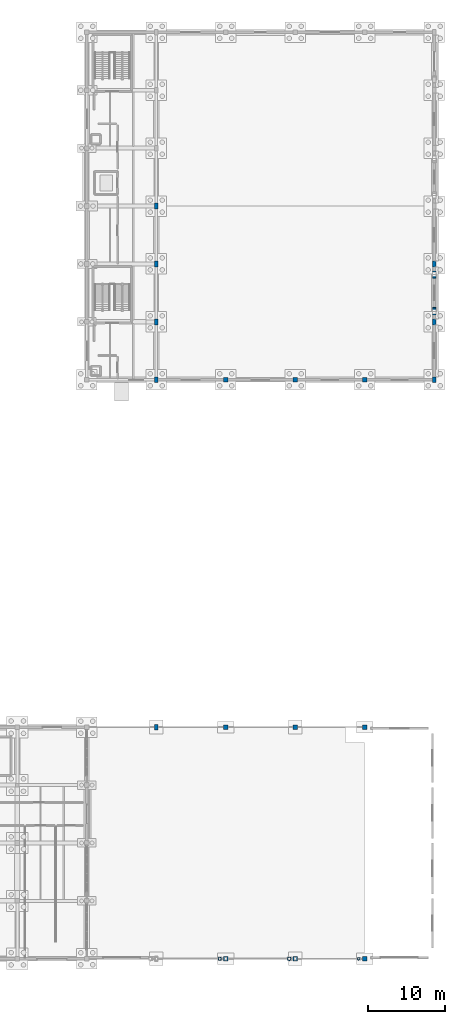
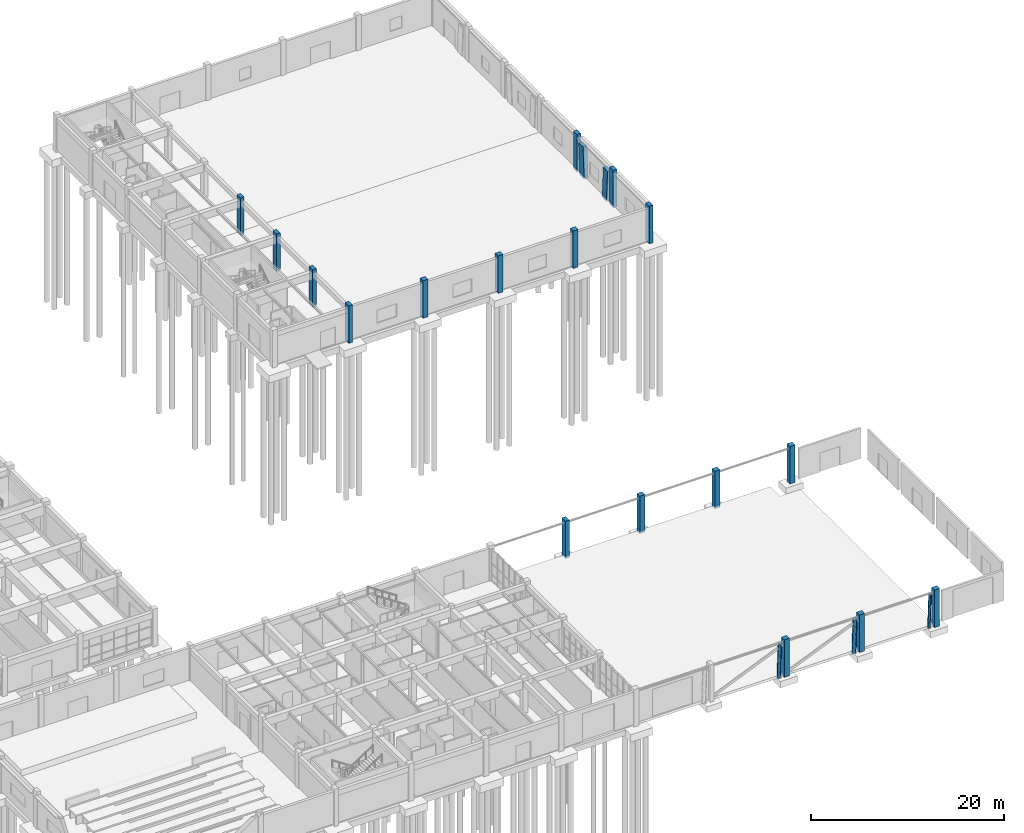
# One storey, part 14 of 93: 22 columns.
"""IFC4 building model written with IfcOpenShell, lengths in metres."""

from ifc_helpers import new_model, si_unit, direction, frame, origin, origin_2d, place, context, subcontext, project, spatial, rectangle, hollow_circle, extrude, material, material_profile, profile_set, type_object, element, save


model = new_model("IFC4")

# Units and contexts
model_context = context("Model", 3, precision=1e-05, world=origin(), true_north=direction((0.0, 1.0)))
body_context = subcontext(model_context, "Body", "Model", "MODEL_VIEW")
ifc_project = project(units=[si_unit("LENGTHUNIT", "METRE"), si_unit("AREAUNIT", "SQUARE_METRE"), si_unit("VOLUMEUNIT", "CUBIC_METRE"), si_unit("PLANEANGLEUNIT", "RADIAN"), si_unit("MASSUNIT", "GRAM", prefix="KILO")], contexts=[model_context])

# Site, building, storey
site_placement = place(None, origin())
site = spatial("IfcSite", under=ifc_project, at=site_placement, CompositionType="ELEMENT")
building_placement = place(site_placement, origin())
building = spatial("IfcBuilding", under=site, at=building_placement, Name="Marnridge Secondary College", CompositionType="ELEMENT")
storey_placement = place(building_placement, origin())
storey = spatial("IfcBuildingStorey", under=building, at=storey_placement, Name="L00", CompositionType="ELEMENT", Elevation=0.0)

# Columns
ifc_material_1 = material(Name="Cold-formed steel Grade C350L0 (AS/NZS 1163, fy = 350 MPa)", Category="steel")
ifc_material_profile_1 = material_profile(ifc_material_1, hollow_circle(Radius=0.161865234375, WallThickness=0.010009765625, at=origin_2d()), Name="323.9x10.0CHS")
ifc_profile_set_1 = profile_set([ifc_material_profile_1], Name="Cold-formed steel Grade C350L0 (AS/NZS 1163, fy = 350 MPa)")
column_type_1 = type_object("IfcColumnType", Name="CL-CHS323-EXT", PredefinedType="PILASTER", material=ifc_profile_set_1)
column_1_placement = place(storey_placement, frame((161.199951171875, 0.0, -0.25), z_axis=(0.02841796458, 0.0, 0.999596128088), x_axis=(0.0, 1.0, 0.0)))
element("IfcColumn", 1, at=column_1_placement, inside=storey, type_object=column_type_1, Name="Inclined pilaster strut CP-0651", PredefinedType="PILASTER", context=body_context, shape_type="SweptSolid", body=[
    extrude(hollow_circle(Radius=0.161865234375, WallThickness=0.010009765625, at=origin_2d()), origin(), (0.0, 0.0, 1.0), 4.226806640625),
])
ifc_material_2 = material(Name="Cold-formed steel Grade C350L0 (AS/NZS 1163, fy = 350 MPa)", Category="steel")
ifc_material_profile_2 = material_profile(ifc_material_2, hollow_circle(Radius=0.203125, WallThickness=0.0126953125, at=origin_2d()), Name="406.4x12.7CHS")
ifc_profile_set_2 = profile_set([ifc_material_profile_2], Name="Cold-formed steel Grade C350L0 (AS/NZS 1163, fy = 350 MPa)")
column_type_2 = type_object("IfcColumnType", Name="CL-CHS406-EXT", PredefinedType="PILASTER", material=ifc_profile_set_2)
column_2_placement = place(storey_placement, frame((143.199951171875, 0.0, -0.25), z_axis=(0.02841796458, 0.0, 0.999596128088), x_axis=(0.0, 1.0, 0.0)))
element("IfcColumn", 2, at=column_2_placement, inside=storey, type_object=column_type_2, Name="Inclined pilaster strut CP-0649", PredefinedType="PILASTER", context=body_context, shape_type="SweptSolid", body=[
    extrude(hollow_circle(Radius=0.203125, WallThickness=0.0126953125, at=origin_2d()), origin(), (0.0, 0.0, 1.0), 4.226806640625),
])
ifc_material_3 = material(Name="Cold-formed steel Grade C350L0 (AS/NZS 1163, fy = 350 MPa)", Category="steel")
ifc_material_profile_3 = material_profile(ifc_material_3, hollow_circle(Radius=0.228515625, WallThickness=0.0126953125, at=origin_2d()), Name="457.0x12.7CHS")
ifc_profile_set_3 = profile_set([ifc_material_profile_3], Name="Cold-formed steel Grade C350L0 (AS/NZS 1163, fy = 350 MPa)")
column_type_3 = type_object("IfcColumnType", Name="CL-CHS457-EXT", PredefinedType="PILASTER", material=ifc_profile_set_3)
column_3_placement = place(storey_placement, frame((152.199951171875, 0.0, -0.25), z_axis=(0.02841796458, 0.0, 0.999596128088), x_axis=(0.0, 1.0, 0.0)))
element("IfcColumn", 3, at=column_3_placement, inside=storey, type_object=column_type_3, Name="Inclined pilaster strut CP-0650", PredefinedType="PILASTER", context=body_context, shape_type="SweptSolid", body=[
    extrude(hollow_circle(Radius=0.228515625, WallThickness=0.0126953125, at=origin_2d()), origin(), (0.0, 0.0, 1.0), 4.226806640625),
])
ifc_material_4 = material(Name="Concrete C40/50 (AS 3600 N40, 40 MPa)", Category="concrete")
ifc_material_profile_4 = material_profile(ifc_material_4, rectangle(XDim=0.449951171875, YDim=0.75, at=origin_2d()), Name="RC 450x750")
ifc_profile_set_4 = profile_set([ifc_material_profile_4], Name="Concrete C40/50 (AS 3600 N40, 40 MPa)")
column_type_4 = type_object("IfcColumnType", Name="CL-RC4575-EXT", PredefinedType="COLUMN", material=ifc_profile_set_4)
for number, where, z_axis, x_axis, name in (
    (4, (135.0, 30.0, -0.25), (0.0, 0.0, 1.0), (1.0, 0.0, 0.0), "Column C-L00-0236"),
    (5, (135.0, 75.0, -0.25), (0.0, 0.0, 1.0), (1.0, 0.0, 0.0), "Column C-L00-0454"),
    (6, (171.0, 75.0, -0.25), (0.0, 0.0, 1.0), (1.0, 0.0, 0.0), "Column C-L00-0462"),
    (7, (135.0, 82.5, -0.25), (0.0, 0.0, 1.0), (1.0, 0.0, 0.0), "Column C-L00-0499"),
    (8, (171.0, 82.5, -0.25), (0.0, 0.0, 1.0), (1.0, 0.0, 0.0), "Column C-L00-0501"),
    (9, (135.0, 90.0, -0.25), (0.0, 0.0, 1.0), (1.0, 0.0, 0.0), "Column C-L00-0525"),
    (10, (171.0, 90.0, -0.25), (0.0, 0.0, 1.0), (1.0, 0.0, 0.0), "Column C-L00-0527"),
    (11, (135.0, 97.5, -0.25), (0.0, 0.0, 1.0), (1.0, 0.0, 0.0), "Column C-L00-0551"),
):
    element("IfcColumn", number, at=place(storey_placement, frame(where, z_axis=z_axis, x_axis=x_axis)), inside=storey, type_object=column_type_4, Name=name, PredefinedType="COLUMN", context=body_context, shape_type="SweptSolid", body=[
        extrude(rectangle(XDim=0.449951171875, YDim=0.75, at=origin_2d()), origin(), (0.0, 0.0, 1.0), 4.75),
    ])
ifc_material_5 = material(Name="Concrete C50/60 (AS 3600 N50, 50 MPa)", Category="concrete")
ifc_material_profile_5 = material_profile(ifc_material_5, rectangle(XDim=0.5, YDim=0.89990234375, at=origin_2d()), Name="RC 500x900")
ifc_profile_set_5 = profile_set([ifc_material_profile_5], Name="Concrete C50/60 (AS 3600 N50, 50 MPa)")
column_type_5 = type_object("IfcColumnType", Name="CL-RC5090-EXT", PredefinedType="PILASTER", material=ifc_profile_set_5)
for number, where, z_axis, x_axis, name in (
    (12, (171.0, 83.949951171875, -0.25), (0.0, -0.063196655728, 0.998001093539), (1.0, 0.0, 0.0), "Inclined pilaster strut CP-0639"),
    (13, (171.0, 88.550048828125, -0.25), (0.0, 0.063196655728, 0.998001093539), (-1.0, 0.0, 0.0), "Inclined pilaster strut CP-0640"),
):
    element("IfcColumn", number, at=place(storey_placement, frame(where, z_axis=z_axis, x_axis=x_axis)), inside=storey, type_object=column_type_5, Name=name, PredefinedType="PILASTER", context=body_context, shape_type="SweptSolid", body=[
        extrude(rectangle(XDim=0.5, YDim=0.89990234375, at=origin_2d()), origin(), (0.0, 0.0, 1.0), 3.955810546875),
    ])
ifc_material_6 = material(Name="Concrete C40/50 (AS 3600 N40, 40 MPa)", Category="concrete")
ifc_material_profile_6 = material_profile(ifc_material_6, rectangle(XDim=0.60009765625, YDim=0.60009765625, at=origin_2d()), Name="RC 600x600")
ifc_profile_set_6 = profile_set([ifc_material_profile_6], Name="Concrete C40/50 (AS 3600 N40, 40 MPa)")
column_type_6 = type_object("IfcColumnType", Name="CL-RC600-EXT", PredefinedType="COLUMN", material=ifc_profile_set_6)
for number, where, z_axis, x_axis, name in (
    (14, (144.0, 0.0, -0.25), (0.0, 0.0, 1.0), (1.0, 0.0, 0.0), "Column C-L00-0050"),
    (15, (153.0, 0.0, -0.25), (0.0, 0.0, 1.0), (1.0, 0.0, 0.0), "Column C-L00-0051"),
    (16, (162.0, 0.0, -0.25), (0.0, 0.0, 1.0), (1.0, 0.0, 0.0), "Column C-L00-0052"),
    (17, (144.0, 30.0, -0.25), (0.0, 0.0, 1.0), (1.0, 0.0, 0.0), "Column C-L00-0237"),
    (18, (153.0, 30.0, -0.25), (0.0, 0.0, 1.0), (1.0, 0.0, 0.0), "Column C-L00-0238"),
    (19, (162.0, 30.0, -0.25), (0.0, 0.0, 1.0), (1.0, 0.0, 0.0), "Column C-L00-0239"),
    (20, (144.0, 75.0, -0.25), (0.0, 0.0, 1.0), (1.0, 0.0, 0.0), "Column C-L00-0456"),
    (21, (153.0, 75.0, -0.25), (0.0, 0.0, 1.0), (1.0, 0.0, 0.0), "Column C-L00-0458"),
    (22, (162.0, 75.0, -0.25), (0.0, 0.0, 1.0), (1.0, 0.0, 0.0), "Column C-L00-0460"),
):
    element("IfcColumn", number, at=place(storey_placement, frame(where, z_axis=z_axis, x_axis=x_axis)), inside=storey, type_object=column_type_6, Name=name, PredefinedType="COLUMN", context=body_context, shape_type="SweptSolid", body=[
        extrude(rectangle(XDim=0.60009765625, YDim=0.60009765625, at=origin_2d()), origin(), (0.0, 0.0, 1.0), 4.75),
    ])

save(model, "model.ifc")
